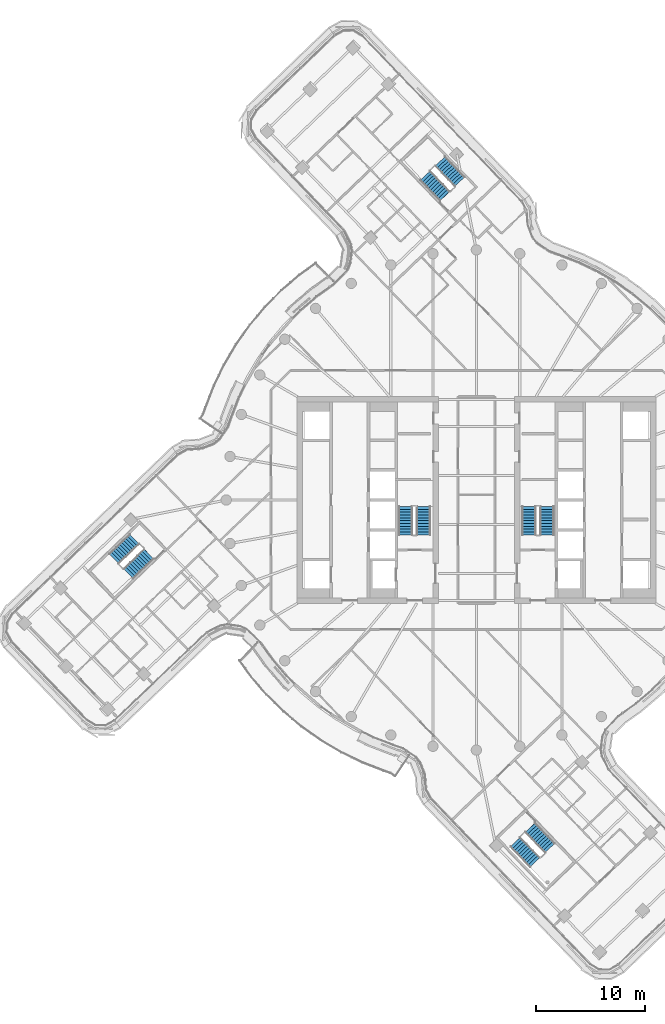
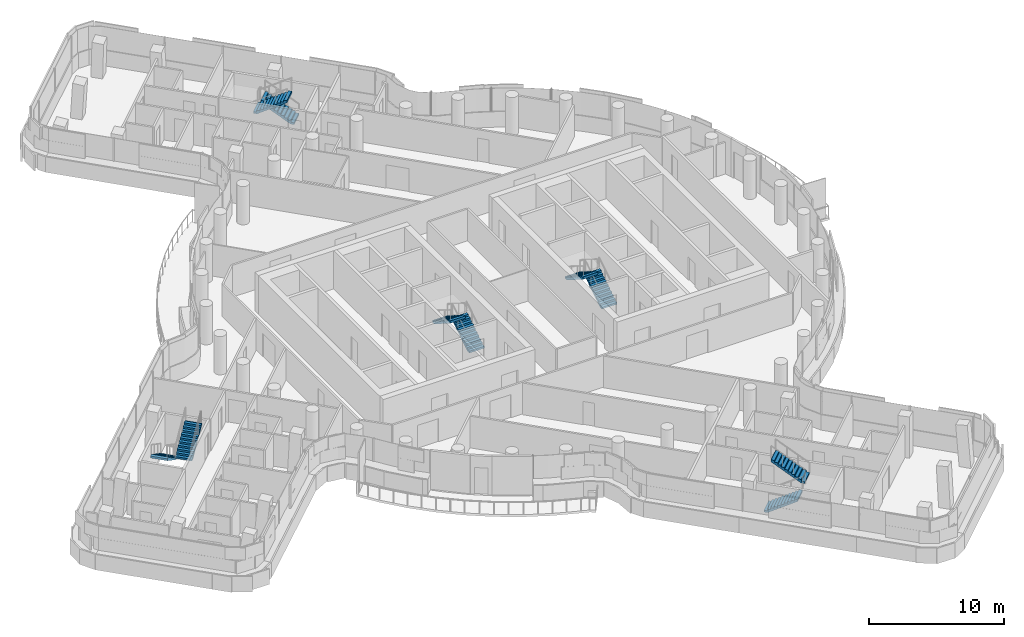
# One storey, part 26 of 34: 10 stair flights, 5 elements without a shape of their own.
"""IFC4 building model written with IfcOpenShell, lengths in metres."""

import ifcopenshell
import ifcopenshell.guid

model = None  # the IFC model being written
_history = None  # IfcOwnerHistory: only IFC2X3 demands one
_inside = {}  # id of a spatial element -> (the spatial element, [elements in it])
_under = {}  # id of a project, library or spatial element -> (it, [spatial elements below it])
_declared = {}  # id of a project -> (the project, [libraries it declares])
_typed = {}  # id of a type object -> (the type object, [elements of that type])
_made_of = {}  # id of a material, layer set ... -> (it, [elements and type objects made of it])


def new_model(schema):
    """Start an empty IFC model of exactly this schema.

    Asked for "IFC4X3", IfcOpenShell would pick the latest addendum, in which some entities
    have other attributes; the version numbers below select the first issue.
    IFC2X3 requires an IfcOwnerHistory on every rooted entity: one is made here for all.
    """
    global model, _history
    if schema == "IFC4X3":
        model = ifcopenshell.file(schema_version=(4, 3, 0, 0))
    else:
        model = ifcopenshell.file(schema=schema)
    _inside.clear()
    _under.clear()
    _declared.clear()
    _typed.clear()
    _made_of.clear()
    _history = None
    if model.schema == "IFC2X3":
        org = make("IfcOrganization", Name="unknown")
        user = make(
            "IfcPersonAndOrganization",
            ThePerson=make("IfcPerson", FamilyName="unknown"),
            TheOrganization=org,
        )
        app = make(
            "IfcApplication",
            ApplicationDeveloper=org,
            Version="unknown",
            ApplicationFullName="unknown",
            ApplicationIdentifier="unknown",
        )
        _history = make(
            "IfcOwnerHistory",
            OwningUser=user,
            OwningApplication=app,
            ChangeAction="ADDED",
            CreationDate=0,
        )
    return model


def make(cls, **values):
    """One entity of the class cls with the attributes given. An attribute that is None is left unset."""
    return model.create_entity(
        cls, **{name: value for name, value in values.items() if value is not None}
    )


def rooted(cls, **values):
    """An entity with a GlobalId (a new one), such as an element, a storey or a relation."""
    return make(cls, GlobalId=ifcopenshell.guid.new(), OwnerHistory=_history, **values)


def si_unit(unit_type, name, prefix=None):
    """IfcSIUnit, for example si_unit("LENGTHUNIT", "METRE", prefix="MILLI")."""
    return make("IfcSIUnit", UnitType=unit_type, Prefix=prefix, Name=name)


def assignment(units):
    """IfcUnitAssignment: the units of a project."""
    return None if units is None else make("IfcUnitAssignment", Units=units)


def point(xyz):
    """IfcCartesianPoint."""
    return None if xyz is None else make("IfcCartesianPoint", Coordinates=xyz)


def direction(xyz):
    """IfcDirection."""
    return None if xyz is None else make("IfcDirection", DirectionRatios=xyz)


def frame(location, z_axis=None, x_axis=None):
    """IfcAxis2Placement3D, a coordinate frame: its origin and axes. An axis left out is left unset."""
    return make(
        "IfcAxis2Placement3D",
        Location=point(location),
        Axis=direction(z_axis),
        RefDirection=direction(x_axis),
    )


def origin():
    """The frame at (0, 0, 0) with its axes left unset."""
    return frame((0.0, 0.0, 0.0))


def place(relative_to, where):
    """IfcLocalPlacement: puts the frame where relative to a parent placement (None: the world)."""
    return make(
        "IfcLocalPlacement", PlacementRelTo=relative_to, RelativePlacement=where
    )


def context(
    kind, dimensions, precision=None, world=None, true_north=None, identifier=None
):
    """IfcGeometricRepresentationContext, for example the 3D "Model" context."""
    return make(
        "IfcGeometricRepresentationContext",
        ContextIdentifier=identifier,
        ContextType=kind,
        CoordinateSpaceDimension=dimensions,
        Precision=precision,
        WorldCoordinateSystem=world,
        TrueNorth=true_north,
    )


def subcontext(parent, identifier, kind, view, scale=None):
    """IfcGeometricRepresentationSubContext, for example "Body" below "Model"."""
    return make(
        "IfcGeometricRepresentationSubContext",
        ContextIdentifier=identifier,
        ContextType=kind,
        ParentContext=parent,
        TargetScale=scale,
        TargetView=view,
    )


def project(units=None, contexts=None):
    """IfcProject with its units and contexts."""
    return rooted(
        "IfcProject",
        Name="project",
        RepresentationContexts=contexts,
        UnitsInContext=assignment(units),
    )


def spatial(cls, under=None, at=None, **own):
    """A site, building, storey or space (cls), placed at a placement, below another one or the project."""
    s = rooted(cls, ObjectPlacement=at, **own)
    if under is not None:
        _under.setdefault(under.id(), (under, []))[1].append(s)
    return s


def polyline(points):
    """IfcPolyline through the points."""
    return make("IfcPolyline", Points=[point(p) for p in points])


def outline(outer, holes=None, kind="AREA"):
    """IfcArbitraryClosedProfileDef: a profile drawn as a closed curve; with holes, ...WithVoids."""
    if holes is None:
        return make("IfcArbitraryClosedProfileDef", ProfileType=kind, OuterCurve=outer)
    return make(
        "IfcArbitraryProfileDefWithVoids",
        ProfileType=kind,
        OuterCurve=outer,
        InnerCurves=holes,
    )


def extrude(swept, where, along, depth):
    """IfcExtrudedAreaSolid: the profile swept, set in the frame where, extruded along a direction by depth."""
    return make(
        "IfcExtrudedAreaSolid",
        SweptArea=swept,
        Position=where,
        ExtrudedDirection=direction(along),
        Depth=depth,
    )


def shape(context_of_items, identifier, shape_type, items):
    """IfcShapeRepresentation: the items that make up one representation, for example the "Body"."""
    return make(
        "IfcShapeRepresentation",
        ContextOfItems=context_of_items,
        RepresentationIdentifier=identifier,
        RepresentationType=shape_type,
        Items=items,
    )


def material(Name=None, Category=None):
    """IfcMaterial."""
    return make("IfcMaterial", Name=Name, Category=Category)


def made_of(thing, what):
    """Note that an element or type object is made of a material, layer set ...; save() writes the relation."""
    if what is not None:
        _made_of.setdefault(what.id(), (what, []))[1].append(thing)
    return thing


def type_object(cls, material=None, **own):
    """A type object (cls), such as IfcWallType, which elements share."""
    return made_of(rooted(cls, **own), material)


def element(
    cls,
    number,
    at=None,
    inside=None,
    cuts=None,
    type_object=None,
    material=None,
    context=None,
    identifier="Body",
    shape_type=None,
    held_by="IfcProductDefinitionShape",
    body=None,
    shapes=None,
    **own,
):
    """One element of the class cls, such as IfcWall. Its Tag is "e" and its number.

    at: its placement. inside: the storey or other place that contains it. cuts: it is an
    opening in that element (IfcRelVoidsElement). A single representation is given by context,
    identifier, shape_type and body (its items); several are given by shapes. held_by: the class
    of the entity that holds the representations. save() writes the other relations.
    """
    e = rooted(cls, Tag="e%d" % number, ObjectPlacement=at, **own)
    if body is not None:
        shapes = [shape(context, identifier, shape_type, body)]
    if shapes is not None:
        e.Representation = make(held_by, Representations=shapes)
    if inside is not None:
        _inside.setdefault(inside.id(), (inside, []))[1].append(e)
    if cuts is not None:
        rooted(
            "IfcRelVoidsElement", RelatingBuildingElement=cuts, RelatedOpeningElement=e
        )
    if type_object is not None:
        _typed.setdefault(type_object.id(), (type_object, []))[1].append(e)
    return made_of(e, material)


def aggregate(whole, parts):
    """IfcRelAggregates: a whole, such as a stair, and the parts it consists of."""
    return rooted("IfcRelAggregates", RelatingObject=whole, RelatedObjects=parts)


def save(model, path):
    """Write the relations noted so far, then the file.

    IfcRelAggregates (storeys below a building ...), IfcRelContainedInSpatialStructure (elements
    in a storey), IfcRelDefinesByType, IfcRelAssociatesMaterial and IfcRelDeclares: one each for
    every whole, place, type object, material and project.
    """
    for whole, parts in _under.values():
        aggregate(whole, parts)
    for where, things in _inside.values():
        rooted(
            "IfcRelContainedInSpatialStructure",
            RelatedElements=things,
            RelatingStructure=where,
        )
    for kind, things in _typed.values():
        rooted("IfcRelDefinesByType", RelatedObjects=things, RelatingType=kind)
    for what, things in _made_of.values():
        rooted("IfcRelAssociatesMaterial", RelatedObjects=things, RelatingMaterial=what)
    for by, libraries in _declared.values():
        rooted("IfcRelDeclares", RelatingContext=by, RelatedDefinitions=libraries)
    model.write(path)


model = new_model("IFC4")

# Units and contexts
model_context = context("Model", 3, precision=1e-05, world=origin(), true_north=direction((0.0, 1.0)))
body_context = subcontext(model_context, "Body", "Model", "MODEL_VIEW")
ifc_project = project(units=[si_unit("LENGTHUNIT", "METRE"), si_unit("AREAUNIT", "SQUARE_METRE"), si_unit("VOLUMEUNIT", "CUBIC_METRE"), si_unit("PLANEANGLEUNIT", "RADIAN"), si_unit("MASSUNIT", "GRAM", prefix="KILO")], contexts=[model_context])

# Site, building, storey
site_placement = place(None, origin())
site = spatial("IfcSite", under=ifc_project, at=site_placement, CompositionType="ELEMENT")
building_placement = place(site_placement, origin())
building = spatial("IfcBuilding", under=site, at=building_placement, Name="Tamarind Cross Interchange Tower", CompositionType="ELEMENT")
storey_placement = place(building_placement, frame((0.0, 0.0, 193.300048828125)))
storey = spatial("IfcBuildingStorey", under=building, at=storey_placement, Name="L48", CompositionType="ELEMENT", Elevation=193.300048828125)

# Stair, stair flights
ifc_material_1 = material(Name="Exit stair")
stair_type = type_object("IfcStairType", Name="Exit stair", PredefinedType="HALF_TURN_STAIR", material=ifc_material_1)
stair_1_placement = place(storey_placement, origin())
stair_1 = element("IfcStair", 1, at=stair_1_placement, inside=storey, type_object=stair_type, Name="L48 exit stair ST1", PredefinedType="HALF_TURN_STAIR")
ifc_material_2 = material(Name="Exit stair flight")
stair_flight_type = type_object("IfcStairFlightType", Name="Exit stair flight", PredefinedType="STRAIGHT", material=ifc_material_2)
stair_flight_1_placement = place(storey_placement, frame((-4.85009765625, -3.199951171875, 0.0), z_axis=(0.0, 0.0, 1.0), x_axis=(0.0, 1.0, 0.0)))
stair_flight_1 = element("IfcStairFlight", 2, at=stair_flight_1_placement, type_object=stair_flight_type, Name="ST1 flight 1", NumberOfRisers=11, NumberOfTreads=10, PredefinedType="STRAIGHT", RiserHeight=0.163636364, TreadLength=0.26, context=body_context, shape_type="SweptSolid", body=[
    extrude(outline(polyline([(0.0, 0.0), (0.0, 0.16357421875), (0.260009765625, 0.16357421875), (0.260009765625, 0.327392578125), (0.52001953125, 0.327392578125), (0.52001953125, 0.490966796875), (0.780029296875, 0.490966796875), (0.780029296875, 0.654541015625), (1.0400390625, 0.654541015625), (1.0400390625, 0.818115234375), (1.300048828125, 0.818115234375), (1.300048828125, 0.98193359375), (1.56005859375, 0.98193359375), (1.56005859375, 1.1455078125), (1.820068359375, 1.1455078125), (1.820068359375, 1.30908203125), (2.080078125, 1.30908203125), (2.080078125, 1.47265625), (2.340087890625, 1.47265625), (2.340087890625, 1.636474609375), (2.60009765625, 1.636474609375), (2.60009765625, 1.800048828125), (2.60009765625, 1.459228515625), (0.281494140625, 0.0), (0.0, 0.0)])), frame((0.0, 0.64990234375, 0.0), z_axis=(0.0, -1.0, 0.0), x_axis=(1.0, 0.0, 0.0)), (0.0, 0.0, 1.0), 1.300048828125),
])
stair_flight_2_placement = place(storey_placement, frame((-6.5, -0.60009765625, 1.800048828125), z_axis=(0.0, 0.0, 1.0), x_axis=(0.0, -1.0, 0.0)))
stair_flight_2 = element("IfcStairFlight", 3, at=stair_flight_2_placement, type_object=stair_flight_type, Name="ST1 flight 2", NumberOfRisers=11, NumberOfTreads=10, PredefinedType="STRAIGHT", RiserHeight=0.163636364, TreadLength=0.26, context=body_context, shape_type="SweptSolid", body=[
    extrude(outline(polyline([(0.0, 0.0), (0.0, 0.16357421875), (0.260009765625, 0.16357421875), (0.260009765625, 0.327392578125), (0.52001953125, 0.327392578125), (0.52001953125, 0.490966796875), (0.780029296875, 0.490966796875), (0.780029296875, 0.654541015625), (1.0400390625, 0.654541015625), (1.0400390625, 0.818115234375), (1.300048828125, 0.818115234375), (1.300048828125, 0.98193359375), (1.56005859375, 0.98193359375), (1.56005859375, 1.1455078125), (1.820068359375, 1.1455078125), (1.820068359375, 1.30908203125), (2.080078125, 1.30908203125), (2.080078125, 1.47265625), (2.340087890625, 1.47265625), (2.340087890625, 1.636474609375), (2.60009765625, 1.636474609375), (2.60009765625, 1.679931640625), (2.612060546875, 1.679931640625), (2.612060546875, 1.466796875), (0.281494140625, 0.0), (0.0, 0.0)])), frame((0.0, 0.64990234375, 0.0), z_axis=(0.0, -1.0, 0.0), x_axis=(1.0, 0.0, 0.0)), (0.0, 0.0, 1.0), 1.300048828125),
])
aggregate(stair_1, [stair_flight_1, stair_flight_2])

stair_2_placement = place(storey_placement, origin())
stair_2 = element("IfcStair", 4, at=stair_2_placement, inside=storey, type_object=stair_type, Name="L48 exit stair ST2", PredefinedType="HALF_TURN_STAIR")
stair_flight_3_placement = place(storey_placement, frame((6.5, -3.199951171875, 0.0), z_axis=(0.0, 0.0, 1.0), x_axis=(0.0, 1.0, 0.0)))
stair_flight_3 = element("IfcStairFlight", 5, at=stair_flight_3_placement, type_object=stair_flight_type, Name="ST2 flight 1", NumberOfRisers=11, NumberOfTreads=10, PredefinedType="STRAIGHT", RiserHeight=0.163636364, TreadLength=0.26, context=body_context, shape_type="SweptSolid", body=[
    extrude(outline(polyline([(0.0, 0.0), (0.0, 0.16357421875), (0.260009765625, 0.16357421875), (0.260009765625, 0.327392578125), (0.52001953125, 0.327392578125), (0.52001953125, 0.490966796875), (0.780029296875, 0.490966796875), (0.780029296875, 0.654541015625), (1.0400390625, 0.654541015625), (1.0400390625, 0.818115234375), (1.300048828125, 0.818115234375), (1.300048828125, 0.98193359375), (1.56005859375, 0.98193359375), (1.56005859375, 1.1455078125), (1.820068359375, 1.1455078125), (1.820068359375, 1.30908203125), (2.080078125, 1.30908203125), (2.080078125, 1.47265625), (2.340087890625, 1.47265625), (2.340087890625, 1.636474609375), (2.60009765625, 1.636474609375), (2.60009765625, 1.800048828125), (2.60009765625, 1.459228515625), (0.281494140625, 0.0), (0.0, 0.0)])), frame((0.0, 0.64990234375, 0.0), z_axis=(0.0, -1.0, 0.0), x_axis=(1.0, 0.0, 0.0)), (0.0, 0.0, 1.0), 1.300048828125),
])
stair_flight_4_placement = place(storey_placement, frame((4.85009765625, -0.60009765625, 1.800048828125), z_axis=(0.0, 0.0, 1.0), x_axis=(0.0, -1.0, 0.0)))
stair_flight_4 = element("IfcStairFlight", 6, at=stair_flight_4_placement, type_object=stair_flight_type, Name="ST2 flight 2", NumberOfRisers=11, NumberOfTreads=10, PredefinedType="STRAIGHT", RiserHeight=0.163636364, TreadLength=0.26, context=body_context, shape_type="SweptSolid", body=[
    extrude(outline(polyline([(0.0, 0.0), (0.0, 0.16357421875), (0.260009765625, 0.16357421875), (0.260009765625, 0.327392578125), (0.52001953125, 0.327392578125), (0.52001953125, 0.490966796875), (0.780029296875, 0.490966796875), (0.780029296875, 0.654541015625), (1.0400390625, 0.654541015625), (1.0400390625, 0.818115234375), (1.300048828125, 0.818115234375), (1.300048828125, 0.98193359375), (1.56005859375, 0.98193359375), (1.56005859375, 1.1455078125), (1.820068359375, 1.1455078125), (1.820068359375, 1.30908203125), (2.080078125, 1.30908203125), (2.080078125, 1.47265625), (2.340087890625, 1.47265625), (2.340087890625, 1.636474609375), (2.60009765625, 1.636474609375), (2.60009765625, 1.679931640625), (2.612060546875, 1.679931640625), (2.612060546875, 1.466796875), (0.281494140625, 0.0), (0.0, 0.0)])), frame((0.0, 0.64990234375, 0.0), z_axis=(0.0, -1.0, 0.0), x_axis=(1.0, 0.0, 0.0)), (0.0, 0.0, 1.0), 1.300048828125),
])
aggregate(stair_2, [stair_flight_3, stair_flight_4])

stair_3_placement = place(storey_placement, origin())
stair_3 = element("IfcStair", 7, at=stair_3_placement, inside=storey, type_object=stair_type, Name="L48 exit stair ST4", PredefinedType="HALF_TURN_STAIR")
stair_flight_5_placement = place(storey_placement, frame((-1.52001953125, 29.27880859375, 0.0), z_axis=(0.0, 0.0, 1.0), x_axis=(-0.69317039432, 0.720773753988, 0.0)))
stair_flight_5 = element("IfcStairFlight", 8, at=stair_flight_5_placement, type_object=stair_flight_type, Name="ST4 flight 1", NumberOfRisers=11, NumberOfTreads=10, PredefinedType="STRAIGHT", RiserHeight=0.163636364, TreadLength=0.26, context=body_context, shape_type="SweptSolid", body=[
    extrude(outline(polyline([(0.0, 0.0), (0.0, 0.16357421875), (0.260009765625, 0.16357421875), (0.260009765625, 0.327392578125), (0.52001953125, 0.327392578125), (0.52001953125, 0.490966796875), (0.780029296875, 0.490966796875), (0.780029296875, 0.654541015625), (1.0400390625, 0.654541015625), (1.0400390625, 0.818115234375), (1.300048828125, 0.818115234375), (1.300048828125, 0.98193359375), (1.56005859375, 0.98193359375), (1.56005859375, 1.1455078125), (1.820068359375, 1.1455078125), (1.820068359375, 1.30908203125), (2.080078125, 1.30908203125), (2.080078125, 1.47265625), (2.340087890625, 1.47265625), (2.340087890625, 1.636474609375), (2.60009765625, 1.636474609375), (2.60009765625, 1.800048828125), (2.60009765625, 1.459228515625), (0.281494140625, 0.0), (0.0, 0.0)])), frame((0.0, 0.64990234375, 0.0), z_axis=(0.0, -1.0, 0.0), x_axis=(1.0, 0.0, 0.0)), (0.0, 0.0, 1.0), 1.300048828125),
])
stair_flight_6_placement = place(storey_placement, frame((-4.691650390625, 29.8359375, 1.800048828125), z_axis=(0.0, 0.0, 1.0), x_axis=(0.69317039432, -0.720773753988, 0.0)))
stair_flight_6 = element("IfcStairFlight", 9, at=stair_flight_6_placement, type_object=stair_flight_type, Name="ST4 flight 2", NumberOfRisers=11, NumberOfTreads=10, PredefinedType="STRAIGHT", RiserHeight=0.163636364, TreadLength=0.26, context=body_context, shape_type="SweptSolid", body=[
    extrude(outline(polyline([(0.0, 0.0), (0.0, 0.16357421875), (0.260009765625, 0.16357421875), (0.260009765625, 0.327392578125), (0.52001953125, 0.327392578125), (0.52001953125, 0.490966796875), (0.780029296875, 0.490966796875), (0.780029296875, 0.654541015625), (1.0400390625, 0.654541015625), (1.0400390625, 0.818115234375), (1.300048828125, 0.818115234375), (1.300048828125, 0.98193359375), (1.56005859375, 0.98193359375), (1.56005859375, 1.1455078125), (1.820068359375, 1.1455078125), (1.820068359375, 1.30908203125), (2.080078125, 1.30908203125), (2.080078125, 1.47265625), (2.340087890625, 1.47265625), (2.340087890625, 1.636474609375), (2.60009765625, 1.636474609375), (2.60009765625, 1.679931640625), (2.612060546875, 1.679931640625), (2.612060546875, 1.466796875), (0.281494140625, 0.0), (0.0, 0.0)])), frame((0.0, 0.64990234375, 0.0), z_axis=(0.0, -1.0, 0.0), x_axis=(1.0, 0.0, 0.0)), (0.0, 0.0, 1.0), 1.300048828125),
])
aggregate(stair_3, [stair_flight_5, stair_flight_6])

stair_4_placement = place(storey_placement, origin())
stair_4 = element("IfcStair", 10, at=stair_4_placement, inside=storey, type_object=stair_type, Name="L48 exit stair ST5", PredefinedType="HALF_TURN_STAIR")
stair_flight_7_placement = place(storey_placement, frame((-31.441162109375, -3.599365234375, 0.0), z_axis=(0.0, 0.0, 1.0), x_axis=(-0.720773753988, -0.69317039432, 0.0)))
stair_flight_7 = element("IfcStairFlight", 11, at=stair_flight_7_placement, type_object=stair_flight_type, Name="ST5 flight 1", NumberOfRisers=11, NumberOfTreads=10, PredefinedType="STRAIGHT", RiserHeight=0.163636364, TreadLength=0.26, context=body_context, shape_type="SweptSolid", body=[
    extrude(outline(polyline([(0.0, 0.0), (0.0, 0.16357421875), (0.260009765625, 0.16357421875), (0.260009765625, 0.327392578125), (0.52001953125, 0.327392578125), (0.52001953125, 0.490966796875), (0.780029296875, 0.490966796875), (0.780029296875, 0.654541015625), (1.0400390625, 0.654541015625), (1.0400390625, 0.818115234375), (1.300048828125, 0.818115234375), (1.300048828125, 0.98193359375), (1.56005859375, 0.98193359375), (1.56005859375, 1.1455078125), (1.820068359375, 1.1455078125), (1.820068359375, 1.30908203125), (2.080078125, 1.30908203125), (2.080078125, 1.47265625), (2.340087890625, 1.47265625), (2.340087890625, 1.636474609375), (2.60009765625, 1.636474609375), (2.60009765625, 1.800048828125), (2.60009765625, 1.459228515625), (0.281494140625, 0.0), (0.0, 0.0)])), frame((0.0, 0.64990234375, 0.0), z_axis=(0.0, -1.0, 0.0), x_axis=(1.0, 0.0, 0.0)), (0.0, 0.0, 1.0), 1.300048828125),
])
stair_flight_8_placement = place(storey_placement, frame((-31.998291015625, -6.771240234375, 1.800048828125), z_axis=(0.0, 0.0, 1.0), x_axis=(0.720773753988, 0.69317039432, 0.0)))
stair_flight_8 = element("IfcStairFlight", 12, at=stair_flight_8_placement, type_object=stair_flight_type, Name="ST5 flight 2", NumberOfRisers=11, NumberOfTreads=10, PredefinedType="STRAIGHT", RiserHeight=0.163636364, TreadLength=0.26, context=body_context, shape_type="SweptSolid", body=[
    extrude(outline(polyline([(0.0, 0.0), (0.0, 0.16357421875), (0.260009765625, 0.16357421875), (0.260009765625, 0.327392578125), (0.52001953125, 0.327392578125), (0.52001953125, 0.490966796875), (0.780029296875, 0.490966796875), (0.780029296875, 0.654541015625), (1.0400390625, 0.654541015625), (1.0400390625, 0.818115234375), (1.300048828125, 0.818115234375), (1.300048828125, 0.98193359375), (1.56005859375, 0.98193359375), (1.56005859375, 1.1455078125), (1.820068359375, 1.1455078125), (1.820068359375, 1.30908203125), (2.080078125, 1.30908203125), (2.080078125, 1.47265625), (2.340087890625, 1.47265625), (2.340087890625, 1.636474609375), (2.60009765625, 1.636474609375), (2.60009765625, 1.679931640625), (2.612060546875, 1.679931640625), (2.612060546875, 1.466796875), (0.281494140625, 0.0), (0.0, 0.0)])), frame((0.0, 0.64990234375, 0.0), z_axis=(0.0, -1.0, 0.0), x_axis=(1.0, 0.0, 0.0)), (0.0, 0.0, 1.0), 1.300048828125),
])
aggregate(stair_4, [stair_flight_7, stair_flight_8])

stair_5_placement = place(storey_placement, origin())
stair_5 = element("IfcStair", 13, at=stair_5_placement, inside=storey, type_object=stair_type, Name="L48 exit stair ST6", PredefinedType="HALF_TURN_STAIR")
stair_flight_9_placement = place(storey_placement, frame((3.599365234375, -31.441162109375, 0.0), z_axis=(0.0, 0.0, 1.0), x_axis=(0.69317039432, -0.720773753988, 0.0)))
stair_flight_9 = element("IfcStairFlight", 14, at=stair_flight_9_placement, type_object=stair_flight_type, Name="ST6 flight 1", NumberOfRisers=11, NumberOfTreads=10, PredefinedType="STRAIGHT", RiserHeight=0.163636364, TreadLength=0.26, context=body_context, shape_type="SweptSolid", body=[
    extrude(outline(polyline([(0.0, 0.0), (0.0, 0.16357421875), (0.260009765625, 0.16357421875), (0.260009765625, 0.327392578125), (0.52001953125, 0.327392578125), (0.52001953125, 0.490966796875), (0.780029296875, 0.490966796875), (0.780029296875, 0.654541015625), (1.0400390625, 0.654541015625), (1.0400390625, 0.818115234375), (1.300048828125, 0.818115234375), (1.300048828125, 0.98193359375), (1.56005859375, 0.98193359375), (1.56005859375, 1.1455078125), (1.820068359375, 1.1455078125), (1.820068359375, 1.30908203125), (2.080078125, 1.30908203125), (2.080078125, 1.47265625), (2.340087890625, 1.47265625), (2.340087890625, 1.636474609375), (2.60009765625, 1.636474609375), (2.60009765625, 1.800048828125), (2.60009765625, 1.459228515625), (0.281494140625, 0.0), (0.0, 0.0)])), frame((0.0, 0.64990234375, 0.0), z_axis=(0.0, -1.0, 0.0), x_axis=(1.0, 0.0, 0.0)), (0.0, 0.0, 1.0), 1.300048828125),
])
stair_flight_10_placement = place(storey_placement, frame((6.771240234375, -31.998291015625, 1.800048828125), z_axis=(0.0, 0.0, 1.0), x_axis=(-0.69317039432, 0.720773753988, 0.0)))
stair_flight_10 = element("IfcStairFlight", 15, at=stair_flight_10_placement, type_object=stair_flight_type, Name="ST6 flight 2", NumberOfRisers=11, NumberOfTreads=10, PredefinedType="STRAIGHT", RiserHeight=0.163636364, TreadLength=0.26, context=body_context, shape_type="SweptSolid", body=[
    extrude(outline(polyline([(0.0, 0.0), (0.0, 0.16357421875), (0.260009765625, 0.16357421875), (0.260009765625, 0.327392578125), (0.52001953125, 0.327392578125), (0.52001953125, 0.490966796875), (0.780029296875, 0.490966796875), (0.780029296875, 0.654541015625), (1.0400390625, 0.654541015625), (1.0400390625, 0.818115234375), (1.300048828125, 0.818115234375), (1.300048828125, 0.98193359375), (1.56005859375, 0.98193359375), (1.56005859375, 1.1455078125), (1.820068359375, 1.1455078125), (1.820068359375, 1.30908203125), (2.080078125, 1.30908203125), (2.080078125, 1.47265625), (2.340087890625, 1.47265625), (2.340087890625, 1.636474609375), (2.60009765625, 1.636474609375), (2.60009765625, 1.679931640625), (2.612060546875, 1.679931640625), (2.612060546875, 1.466796875), (0.281494140625, 0.0), (0.0, 0.0)])), frame((0.0, 0.64990234375, 0.0), z_axis=(0.0, -1.0, 0.0), x_axis=(1.0, 0.0, 0.0)), (0.0, 0.0, 1.0), 1.300048828125),
])
aggregate(stair_5, [stair_flight_9, stair_flight_10])

save(model, "model.ifc")
